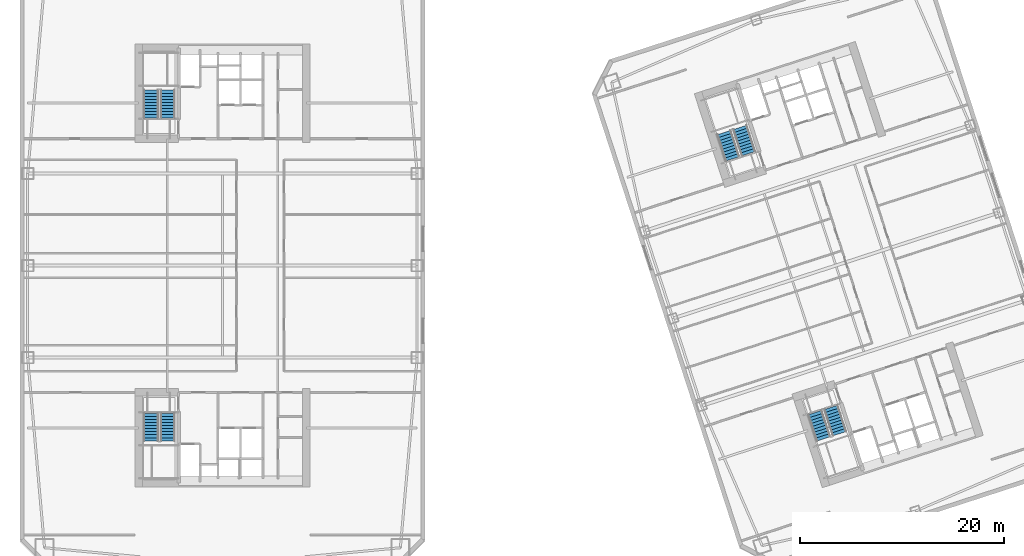
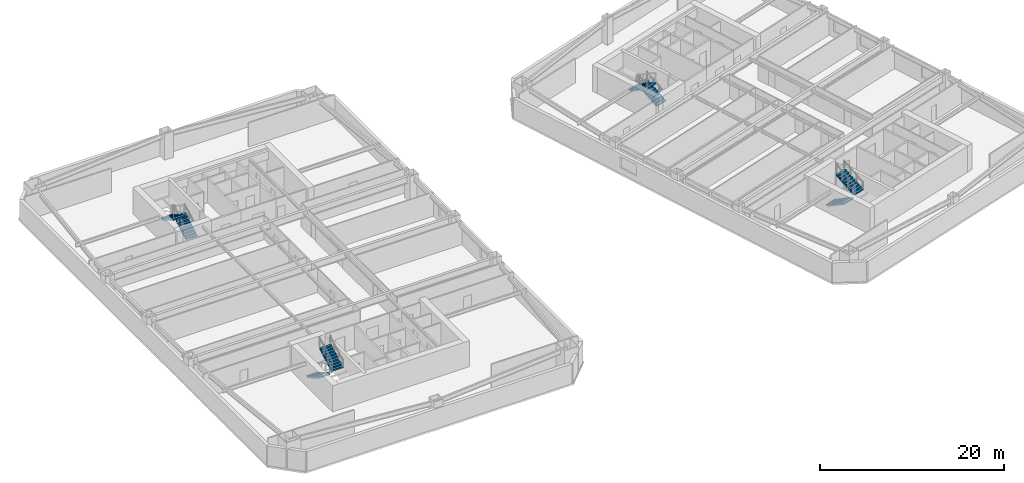
# One storey, part 11 of 13: 8 stair flights, 4 elements without a shape of their own.
"""IFC4 building model written with IfcOpenShell, lengths in metres."""

from ifc_helpers import new_model, si_unit, direction, frame, origin, place, context, subcontext, project, spatial, polyline, outline, extrude, material, type_object, element, aggregate, save


model = new_model("IFC4")

# Units and contexts
model_context = context("Model", 3, precision=1e-05, world=origin(), true_north=direction((0.0, 1.0)))
body_context = subcontext(model_context, "Body", "Model", "MODEL_VIEW")
ifc_project = project(units=[si_unit("LENGTHUNIT", "METRE"), si_unit("AREAUNIT", "SQUARE_METRE"), si_unit("VOLUMEUNIT", "CUBIC_METRE"), si_unit("PLANEANGLEUNIT", "RADIAN"), si_unit("MASSUNIT", "GRAM", prefix="KILO")], contexts=[model_context])

# Site, building, storey
site_placement = place(None, origin())
site = spatial("IfcSite", under=ifc_project, at=site_placement, CompositionType="ELEMENT")
building_placement = place(site_placement, origin())
building = spatial("IfcBuilding", under=site, at=building_placement, Name="Qiaolan Cultural Towers", CompositionType="ELEMENT")
storey_placement = place(building_placement, frame((0.0, 0.0, 85.10009765625)))
storey = spatial("IfcBuildingStorey", under=building, at=storey_placement, Name="L21", CompositionType="ELEMENT", Elevation=85.10009765625)

# Stair, stair flights
ifc_material_1 = material(Name="Concrete C45", Category="concrete")
stair_type = type_object("IfcStairType", Name="STR-CORE-1500", PredefinedType="HALF_TURN_STAIR", material=ifc_material_1)
stair_1_placement = place(storey_placement, origin())
stair_1 = element("IfcStair", 1, at=stair_1_placement, inside=storey, type_object=stair_type, Name="L21 Smokeproof Exit Stair ST-W1", PredefinedType="HALF_TURN_STAIR")
ifc_material_2 = material(Name="Concrete C45", Category="concrete")
stair_flight_type = type_object("IfcStairFlightType", Name="STR-CORE-1500-FL", PredefinedType="STRAIGHT", material=ifc_material_2)
stair_flight_1_placement = place(storey_placement, frame((23.02001953125, 19.550048828125, 0.0), z_axis=(0.0, 0.0, 1.0), x_axis=(0.0, -1.0, 0.0)))
stair_flight_1 = element("IfcStairFlight", 2, at=stair_flight_1_placement, type_object=stair_flight_type, Name="ST-W1 flight 1", NumberOfRisers=10, NumberOfTreads=9, PredefinedType="STRAIGHT", RiserHeight=0.1725, TreadLength=0.3, context=body_context, shape_type="SweptSolid", body=[
    extrude(outline(polyline([(0.0, 0.0), (0.0, 0.172607421875), (0.300048828125, 0.172607421875), (0.300048828125, 0.344970703125), (0.60009765625, 0.344970703125), (0.60009765625, 0.517578125), (0.89990234375, 0.517578125), (0.89990234375, 0.68994140625), (1.199951171875, 0.68994140625), (1.199951171875, 0.862548828125), (1.5, 0.862548828125), (1.5, 1.034912109375), (1.800048828125, 1.034912109375), (1.800048828125, 1.20751953125), (2.10009765625, 1.20751953125), (2.10009765625, 1.3798828125), (2.39990234375, 1.3798828125), (2.39990234375, 1.552490234375), (2.699951171875, 1.552490234375), (2.699951171875, 1.72509765625), (2.699951171875, 1.379638671875), (0.30078125, 0.0), (0.0, 0.0)])), frame((0.0, 0.719970703125, 0.0), z_axis=(0.0, -1.0, 0.0), x_axis=(1.0, 0.0, 0.0)), (0.0, 0.0, 1.0), 1.43994140625),
])
stair_flight_2_placement = place(storey_placement, frame((24.659912109375, 16.85009765625, 1.724853515625), z_axis=(0.0, 0.0, 1.0), x_axis=(0.0, 1.0, 0.0)))
stair_flight_2 = element("IfcStairFlight", 3, at=stair_flight_2_placement, type_object=stair_flight_type, Name="ST-W1 flight 2", NumberOfRisers=10, NumberOfTreads=9, PredefinedType="STRAIGHT", RiserHeight=0.1725, TreadLength=0.3, context=body_context, shape_type="SweptSolid", body=[
    extrude(outline(polyline([(0.0, 0.0), (0.0, 0.172607421875), (0.300048828125, 0.172607421875), (0.300048828125, 0.344970703125), (0.60009765625, 0.344970703125), (0.60009765625, 0.517578125), (0.89990234375, 0.517578125), (0.89990234375, 0.68994140625), (1.199951171875, 0.68994140625), (1.199951171875, 0.862548828125), (1.5, 0.862548828125), (1.5, 1.034912109375), (1.800048828125, 1.034912109375), (1.800048828125, 1.20751953125), (2.10009765625, 1.20751953125), (2.10009765625, 1.3798828125), (2.39990234375, 1.3798828125), (2.39990234375, 1.552490234375), (2.699951171875, 1.552490234375), (2.699951171875, 1.72509765625), (2.699951171875, 1.379638671875), (0.30078125, 0.0), (0.0, 0.0)])), frame((0.0, 0.719970703125, 0.0), z_axis=(0.0, -1.0, 0.0), x_axis=(1.0, 0.0, 0.0)), (0.0, 0.0, 1.0), 1.43994140625),
])
aggregate(stair_1, [stair_flight_1, stair_flight_2])

stair_2_placement = place(storey_placement, origin())
stair_2 = element("IfcStair", 4, at=stair_2_placement, inside=storey, type_object=stair_type, Name="L21 Smokeproof Exit Stair ST-W2", PredefinedType="HALF_TURN_STAIR")
stair_flight_3_placement = place(storey_placement, frame((24.659912109375, 48.449951171875, 0.0), z_axis=(0.0, 0.0, 1.0), x_axis=(0.0, 1.0, 0.0)))
stair_flight_3 = element("IfcStairFlight", 5, at=stair_flight_3_placement, type_object=stair_flight_type, Name="ST-W2 flight 1", NumberOfRisers=10, NumberOfTreads=9, PredefinedType="STRAIGHT", RiserHeight=0.1725, TreadLength=0.3, context=body_context, shape_type="SweptSolid", body=[
    extrude(outline(polyline([(0.0, 0.0), (0.0, 0.172607421875), (0.300048828125, 0.172607421875), (0.300048828125, 0.344970703125), (0.60009765625, 0.344970703125), (0.60009765625, 0.517578125), (0.89990234375, 0.517578125), (0.89990234375, 0.68994140625), (1.199951171875, 0.68994140625), (1.199951171875, 0.862548828125), (1.5, 0.862548828125), (1.5, 1.034912109375), (1.800048828125, 1.034912109375), (1.800048828125, 1.20751953125), (2.10009765625, 1.20751953125), (2.10009765625, 1.3798828125), (2.39990234375, 1.3798828125), (2.39990234375, 1.552490234375), (2.699951171875, 1.552490234375), (2.699951171875, 1.72509765625), (2.699951171875, 1.379638671875), (0.30078125, 0.0), (0.0, 0.0)])), frame((0.0, 0.719970703125, 0.0), z_axis=(0.0, -1.0, 0.0), x_axis=(1.0, 0.0, 0.0)), (0.0, 0.0, 1.0), 1.43994140625),
])
stair_flight_4_placement = place(storey_placement, frame((23.02001953125, 51.14990234375, 1.724853515625), z_axis=(0.0, 0.0, 1.0), x_axis=(0.0, -1.0, 0.0)))
stair_flight_4 = element("IfcStairFlight", 6, at=stair_flight_4_placement, type_object=stair_flight_type, Name="ST-W2 flight 2", NumberOfRisers=10, NumberOfTreads=9, PredefinedType="STRAIGHT", RiserHeight=0.1725, TreadLength=0.3, context=body_context, shape_type="SweptSolid", body=[
    extrude(outline(polyline([(0.0, 0.0), (0.0, 0.172607421875), (0.300048828125, 0.172607421875), (0.300048828125, 0.344970703125), (0.60009765625, 0.344970703125), (0.60009765625, 0.517578125), (0.89990234375, 0.517578125), (0.89990234375, 0.68994140625), (1.199951171875, 0.68994140625), (1.199951171875, 0.862548828125), (1.5, 0.862548828125), (1.5, 1.034912109375), (1.800048828125, 1.034912109375), (1.800048828125, 1.20751953125), (2.10009765625, 1.20751953125), (2.10009765625, 1.3798828125), (2.39990234375, 1.3798828125), (2.39990234375, 1.552490234375), (2.699951171875, 1.552490234375), (2.699951171875, 1.72509765625), (2.699951171875, 1.379638671875), (0.30078125, 0.0), (0.0, 0.0)])), frame((0.0, 0.719970703125, 0.0), z_axis=(0.0, -1.0, 0.0), x_axis=(1.0, 0.0, 0.0)), (0.0, 0.0, 1.0), 1.43994140625),
])
aggregate(stair_2, [stair_flight_3, stair_flight_4])

stair_3_placement = place(storey_placement, origin())
stair_3 = element("IfcStair", 7, at=stair_3_placement, inside=storey, type_object=stair_type, Name="L21 Smokeproof Exit Stair ST-E1", PredefinedType="HALF_TURN_STAIR")
stair_flight_5_placement = place(storey_placement, frame((87.96484375, 19.6171875, 0.0), z_axis=(0.0, 0.0, 1.0), x_axis=(0.309016994375, -0.951056516295, 0.0)))
stair_flight_5 = element("IfcStairFlight", 8, at=stair_flight_5_placement, type_object=stair_flight_type, Name="ST-E1 flight 1", NumberOfRisers=10, NumberOfTreads=9, PredefinedType="STRAIGHT", RiserHeight=0.1725, TreadLength=0.3, context=body_context, shape_type="SweptSolid", body=[
    extrude(outline(polyline([(0.0, 0.0), (0.0, 0.172607421875), (0.300048828125, 0.172607421875), (0.300048828125, 0.344970703125), (0.60009765625, 0.344970703125), (0.60009765625, 0.517578125), (0.89990234375, 0.517578125), (0.89990234375, 0.68994140625), (1.199951171875, 0.68994140625), (1.199951171875, 0.862548828125), (1.5, 0.862548828125), (1.5, 1.034912109375), (1.800048828125, 1.034912109375), (1.800048828125, 1.20751953125), (2.10009765625, 1.20751953125), (2.10009765625, 1.3798828125), (2.39990234375, 1.3798828125), (2.39990234375, 1.552490234375), (2.699951171875, 1.552490234375), (2.699951171875, 1.72509765625), (2.699951171875, 1.379638671875), (0.30078125, 0.0), (0.0, 0.0)])), frame((0.0, 0.719970703125, 0.0), z_axis=(0.0, -1.0, 0.0), x_axis=(1.0, 0.0, 0.0)), (0.0, 0.0, 1.0), 1.43994140625),
])
stair_flight_6_placement = place(storey_placement, frame((90.359130859375, 17.55615234375, 1.724853515625), z_axis=(0.0, 0.0, 1.0), x_axis=(-0.309016994375, 0.951056516295, 0.0)))
stair_flight_6 = element("IfcStairFlight", 9, at=stair_flight_6_placement, type_object=stair_flight_type, Name="ST-E1 flight 2", NumberOfRisers=10, NumberOfTreads=9, PredefinedType="STRAIGHT", RiserHeight=0.1725, TreadLength=0.3, context=body_context, shape_type="SweptSolid", body=[
    extrude(outline(polyline([(0.0, 0.0), (0.0, 0.172607421875), (0.300048828125, 0.172607421875), (0.300048828125, 0.344970703125), (0.60009765625, 0.344970703125), (0.60009765625, 0.517578125), (0.89990234375, 0.517578125), (0.89990234375, 0.68994140625), (1.199951171875, 0.68994140625), (1.199951171875, 0.862548828125), (1.5, 0.862548828125), (1.5, 1.034912109375), (1.800048828125, 1.034912109375), (1.800048828125, 1.20751953125), (2.10009765625, 1.20751953125), (2.10009765625, 1.3798828125), (2.39990234375, 1.3798828125), (2.39990234375, 1.552490234375), (2.699951171875, 1.552490234375), (2.699951171875, 1.72509765625), (2.699951171875, 1.379638671875), (0.30078125, 0.0), (0.0, 0.0)])), frame((0.0, 0.719970703125, 0.0), z_axis=(0.0, -1.0, 0.0), x_axis=(1.0, 0.0, 0.0)), (0.0, 0.0, 1.0), 1.43994140625),
])
aggregate(stair_3, [stair_flight_5, stair_flight_6])

stair_4_placement = place(storey_placement, origin())
stair_4 = element("IfcStair", 10, at=stair_4_placement, inside=storey, type_object=stair_type, Name="L21 Smokeproof Exit Stair ST-E2", PredefinedType="HALF_TURN_STAIR")
stair_flight_7_placement = place(storey_placement, frame((81.459228515625, 44.946533203125, 0.0), z_axis=(0.0, 0.0, 1.0), x_axis=(-0.309016994375, 0.951056516295, 0.0)))
stair_flight_7 = element("IfcStairFlight", 11, at=stair_flight_7_placement, type_object=stair_flight_type, Name="ST-E2 flight 1", NumberOfRisers=10, NumberOfTreads=9, PredefinedType="STRAIGHT", RiserHeight=0.1725, TreadLength=0.3, context=body_context, shape_type="SweptSolid", body=[
    extrude(outline(polyline([(0.0, 0.0), (0.0, 0.172607421875), (0.300048828125, 0.172607421875), (0.300048828125, 0.344970703125), (0.60009765625, 0.344970703125), (0.60009765625, 0.517578125), (0.89990234375, 0.517578125), (0.89990234375, 0.68994140625), (1.199951171875, 0.68994140625), (1.199951171875, 0.862548828125), (1.5, 0.862548828125), (1.5, 1.034912109375), (1.800048828125, 1.034912109375), (1.800048828125, 1.20751953125), (2.10009765625, 1.20751953125), (2.10009765625, 1.3798828125), (2.39990234375, 1.3798828125), (2.39990234375, 1.552490234375), (2.699951171875, 1.552490234375), (2.699951171875, 1.72509765625), (2.699951171875, 1.379638671875), (0.30078125, 0.0), (0.0, 0.0)])), frame((0.0, 0.719970703125, 0.0), z_axis=(0.0, -1.0, 0.0), x_axis=(1.0, 0.0, 0.0)), (0.0, 0.0, 1.0), 1.43994140625),
])
stair_flight_8_placement = place(storey_placement, frame((79.065185546875, 47.007568359375, 1.724853515625), z_axis=(0.0, 0.0, 1.0), x_axis=(0.309016994375, -0.951056516295, 0.0)))
stair_flight_8 = element("IfcStairFlight", 12, at=stair_flight_8_placement, type_object=stair_flight_type, Name="ST-E2 flight 2", NumberOfRisers=10, NumberOfTreads=9, PredefinedType="STRAIGHT", RiserHeight=0.1725, TreadLength=0.3, context=body_context, shape_type="SweptSolid", body=[
    extrude(outline(polyline([(0.0, 0.0), (0.0, 0.172607421875), (0.300048828125, 0.172607421875), (0.300048828125, 0.344970703125), (0.60009765625, 0.344970703125), (0.60009765625, 0.517578125), (0.89990234375, 0.517578125), (0.89990234375, 0.68994140625), (1.199951171875, 0.68994140625), (1.199951171875, 0.862548828125), (1.5, 0.862548828125), (1.5, 1.034912109375), (1.800048828125, 1.034912109375), (1.800048828125, 1.20751953125), (2.10009765625, 1.20751953125), (2.10009765625, 1.3798828125), (2.39990234375, 1.3798828125), (2.39990234375, 1.552490234375), (2.699951171875, 1.552490234375), (2.699951171875, 1.72509765625), (2.699951171875, 1.379638671875), (0.30078125, 0.0), (0.0, 0.0)])), frame((0.0, 0.719970703125, 0.0), z_axis=(0.0, -1.0, 0.0), x_axis=(1.0, 0.0, 0.0)), (0.0, 0.0, 1.0), 1.43994140625),
])
aggregate(stair_4, [stair_flight_7, stair_flight_8])

save(model, "model.ifc")
